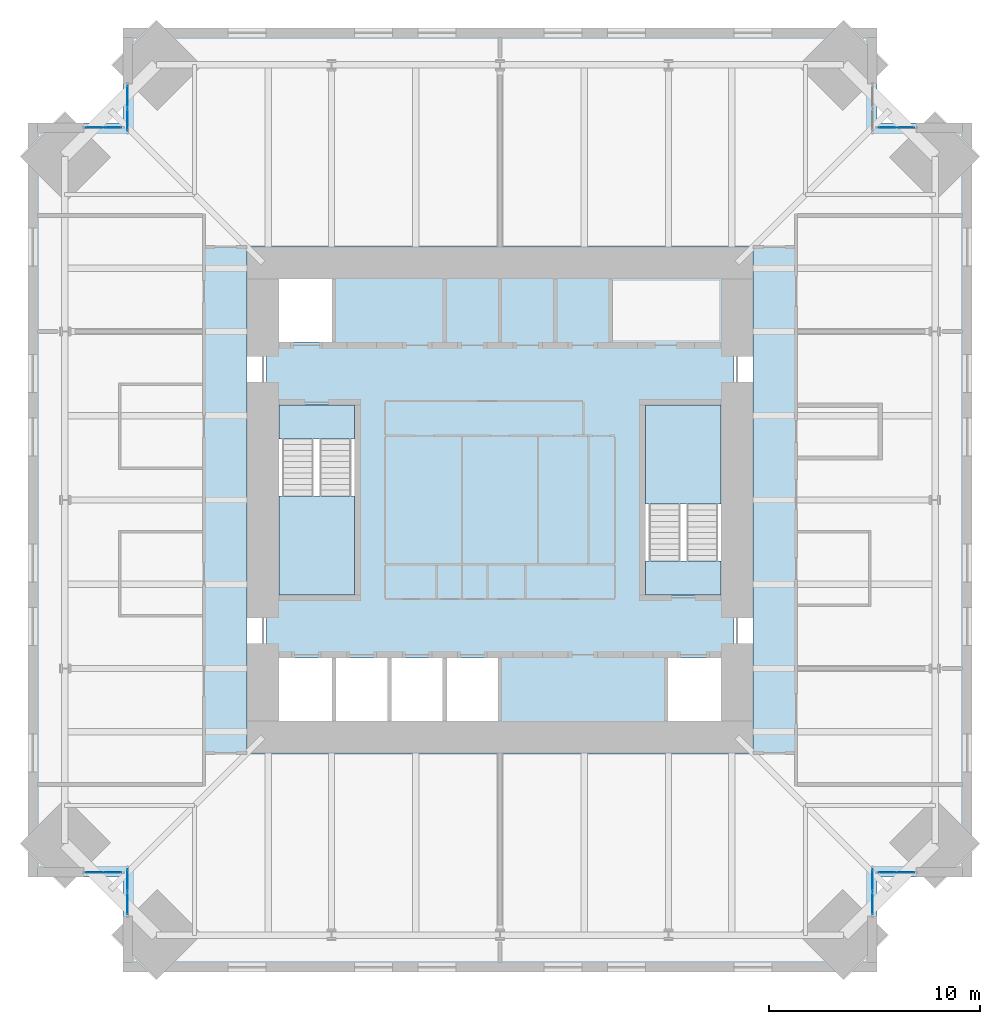
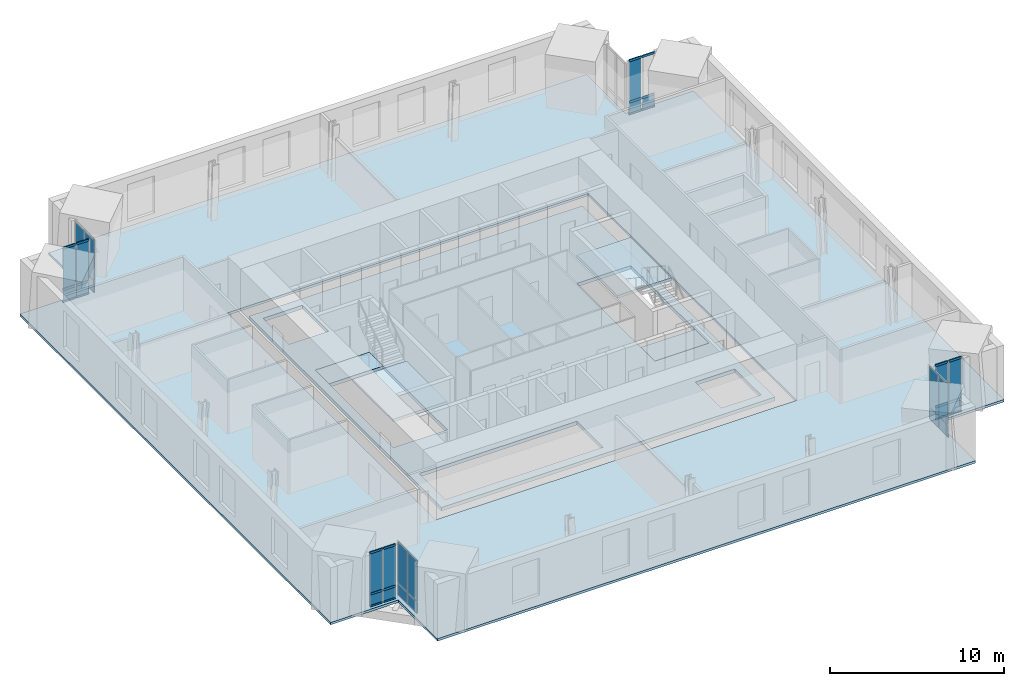
# One storey, part 11 of 17: 27 plates, 24 members, 6 slabs, 9 elements without a shape of their own.
"""IFC4 building model written with IfcOpenShell, lengths in metres."""

from ifc_helpers import new_model, si_unit, direction, frame, origin, origin_2d, place, context, subcontext, project, spatial, polyline, rectangle, hollow_rectangle, outline, extrude, material, layer, layer_set, material_profile, profile_set, type_object, element, aggregate, save


model = new_model("IFC4")

# Units and contexts
model_context = context("Model", 3, precision=1e-05, world=origin(), true_north=direction((0.0, 1.0)))
body_context = subcontext(model_context, "Body", "Model", "MODEL_VIEW")
ifc_project = project(units=[si_unit("LENGTHUNIT", "METRE"), si_unit("AREAUNIT", "SQUARE_METRE"), si_unit("VOLUMEUNIT", "CUBIC_METRE"), si_unit("PLANEANGLEUNIT", "RADIAN"), si_unit("MASSUNIT", "GRAM", prefix="KILO")], contexts=[model_context])

# Site, building, storey
site_placement = place(None, origin())
site = spatial("IfcSite", under=ifc_project, at=site_placement, CompositionType="ELEMENT")
building_placement = place(site_placement, origin())
building = spatial("IfcBuilding", under=site, at=building_placement, Name="Peilmerk Tower", CompositionType="ELEMENT")
storey_placement = place(building_placement, frame((0.0, 0.0, 253.800048828125)))
storey = spatial("IfcBuildingStorey", under=building, at=storey_placement, Name="L56", CompositionType="ELEMENT", Elevation=253.800048828125)

# Curtain wall, members
ifc_material_1 = material(Name="Aluminium stick curtain wall", Category="aluminium")
curtain_wall_type = type_object("IfcCurtainWallType", Name="CW4 stick curtain wall, 2250 module", PredefinedType="NOTDEFINED", material=ifc_material_1)
curtain_wall_1_placement = place(storey_placement, origin())
curtain_wall_1 = element("IfcCurtainWall", 1, at=curtain_wall_1_placement, inside=storey, type_object=curtain_wall_type, Name="Curtain wall CW4 NEB L56", PredefinedType="NOTDEFINED")
ifc_material_2 = material(Name="Aluminium EN AW-6063 T6", Category="aluminium")
ifc_material_profile = material_profile(ifc_material_2, hollow_rectangle(XDim=0.06494140625, YDim=0.14990234375, WallThickness=0.0029296875, at=origin_2d()), Name="AL 150x65x3")
ifc_profile_set = profile_set([ifc_material_profile], Name="Aluminium EN AW-6063 T6")
member_type = type_object("IfcMemberType", Name="CW4-T AL 150x65x3 transom", PredefinedType="USERDEFINED", material=ifc_profile_set)
member_1_placement = place(storey_placement, frame((17.965087890625, 17.675048828125, 0.032470703125), z_axis=(1.0, 0.0, 0.0), x_axis=(0.0, 1.0, 0.0)))
member_1 = element("IfcMember", 2, at=member_1_placement, type_object=member_type, Name="CW4 transom 1.1", ObjectType="TRANSOM", PredefinedType="USERDEFINED", context=body_context, shape_type="SweptSolid", body=[
    extrude(hollow_rectangle(XDim=0.06494140625, YDim=0.14990234375, WallThickness=0.0029296875, at=origin_2d()), origin(), (0.0, 0.0, 1.0), 0.82177734375),
])
member_2_placement = place(storey_placement, frame((17.965087890625, 17.675048828125, 0.89990234375), z_axis=(1.0, 0.0, 0.0), x_axis=(0.0, 1.0, 0.0)))
member_2 = element("IfcMember", 3, at=member_2_placement, type_object=member_type, Name="CW4 transom 1.2", ObjectType="TRANSOM", PredefinedType="USERDEFINED", context=body_context, shape_type="SweptSolid", body=[
    extrude(hollow_rectangle(XDim=0.06494140625, YDim=0.14990234375, WallThickness=0.0029296875, at=origin_2d()), origin(), (0.0, 0.0, 1.0), 0.82177734375),
])
member_3_placement = place(storey_placement, frame((17.965087890625, 17.675048828125, 3.79736328125), z_axis=(1.0, 0.0, 0.0), x_axis=(0.0, 1.0, 0.0)))
member_3 = element("IfcMember", 4, at=member_3_placement, type_object=member_type, Name="CW4 transom 1.3", ObjectType="TRANSOM", PredefinedType="USERDEFINED", context=body_context, shape_type="SweptSolid", body=[
    extrude(hollow_rectangle(XDim=0.06494140625, YDim=0.14990234375, WallThickness=0.0029296875, at=origin_2d()), origin(), (0.0, 0.0, 1.0), 0.82177734375),
])
member_4_placement = place(storey_placement, frame((18.851806640625, 17.675048828125, 0.032470703125), z_axis=(1.0, 0.0, 0.0), x_axis=(0.0, 1.0, 0.0)))
member_4 = element("IfcMember", 5, at=member_4_placement, type_object=member_type, Name="CW4 transom 2.1", ObjectType="TRANSOM", PredefinedType="USERDEFINED", context=body_context, shape_type="SweptSolid", body=[
    extrude(hollow_rectangle(XDim=0.06494140625, YDim=0.14990234375, WallThickness=0.0029296875, at=origin_2d()), origin(), (0.0, 0.0, 1.0), 0.82177734375),
])
member_5_placement = place(storey_placement, frame((18.851806640625, 17.675048828125, 0.89990234375), z_axis=(1.0, 0.0, 0.0), x_axis=(0.0, 1.0, 0.0)))
member_5 = element("IfcMember", 6, at=member_5_placement, type_object=member_type, Name="CW4 transom 2.2", ObjectType="TRANSOM", PredefinedType="USERDEFINED", context=body_context, shape_type="SweptSolid", body=[
    extrude(hollow_rectangle(XDim=0.06494140625, YDim=0.14990234375, WallThickness=0.0029296875, at=origin_2d()), origin(), (0.0, 0.0, 1.0), 0.82177734375),
])
member_6_placement = place(storey_placement, frame((18.851806640625, 17.675048828125, 3.79736328125), z_axis=(1.0, 0.0, 0.0), x_axis=(0.0, 1.0, 0.0)))
member_6 = element("IfcMember", 7, at=member_6_placement, type_object=member_type, Name="CW4 transom 2.3", ObjectType="TRANSOM", PredefinedType="USERDEFINED", context=body_context, shape_type="SweptSolid", body=[
    extrude(hollow_rectangle(XDim=0.06494140625, YDim=0.14990234375, WallThickness=0.0029296875, at=origin_2d()), origin(), (0.0, 0.0, 1.0), 0.82177734375),
])

curtain_wall_2_placement = place(storey_placement, origin())
curtain_wall_2 = element("IfcCurtainWall", 8, at=curtain_wall_2_placement, inside=storey, type_object=curtain_wall_type, Name="Curtain wall CW4 SEB L56", PredefinedType="NOTDEFINED")
member_7_placement = place(storey_placement, frame((17.965087890625, -17.675048828125, 0.032470703125), z_axis=(1.0, 0.0, 0.0), x_axis=(0.0, 1.0, 0.0)))
member_7 = element("IfcMember", 9, at=member_7_placement, type_object=member_type, Name="CW4 transom 1.1", ObjectType="TRANSOM", PredefinedType="USERDEFINED", context=body_context, shape_type="SweptSolid", body=[
    extrude(hollow_rectangle(XDim=0.06494140625, YDim=0.14990234375, WallThickness=0.0029296875, at=origin_2d()), origin(), (0.0, 0.0, 1.0), 0.82177734375),
])
member_8_placement = place(storey_placement, frame((17.965087890625, -17.675048828125, 0.89990234375), z_axis=(1.0, 0.0, 0.0), x_axis=(0.0, 1.0, 0.0)))
member_8 = element("IfcMember", 10, at=member_8_placement, type_object=member_type, Name="CW4 transom 1.2", ObjectType="TRANSOM", PredefinedType="USERDEFINED", context=body_context, shape_type="SweptSolid", body=[
    extrude(hollow_rectangle(XDim=0.06494140625, YDim=0.14990234375, WallThickness=0.0029296875, at=origin_2d()), origin(), (0.0, 0.0, 1.0), 0.82177734375),
])
member_9_placement = place(storey_placement, frame((17.965087890625, -17.675048828125, 3.79736328125), z_axis=(1.0, 0.0, 0.0), x_axis=(0.0, 1.0, 0.0)))
member_9 = element("IfcMember", 11, at=member_9_placement, type_object=member_type, Name="CW4 transom 1.3", ObjectType="TRANSOM", PredefinedType="USERDEFINED", context=body_context, shape_type="SweptSolid", body=[
    extrude(hollow_rectangle(XDim=0.06494140625, YDim=0.14990234375, WallThickness=0.0029296875, at=origin_2d()), origin(), (0.0, 0.0, 1.0), 0.82177734375),
])
member_10_placement = place(storey_placement, frame((18.851806640625, -17.675048828125, 0.032470703125), z_axis=(1.0, 0.0, 0.0), x_axis=(0.0, 1.0, 0.0)))
member_10 = element("IfcMember", 12, at=member_10_placement, type_object=member_type, Name="CW4 transom 2.1", ObjectType="TRANSOM", PredefinedType="USERDEFINED", context=body_context, shape_type="SweptSolid", body=[
    extrude(hollow_rectangle(XDim=0.06494140625, YDim=0.14990234375, WallThickness=0.0029296875, at=origin_2d()), origin(), (0.0, 0.0, 1.0), 0.82177734375),
])
member_11_placement = place(storey_placement, frame((18.851806640625, -17.675048828125, 0.89990234375), z_axis=(1.0, 0.0, 0.0), x_axis=(0.0, 1.0, 0.0)))
member_11 = element("IfcMember", 13, at=member_11_placement, type_object=member_type, Name="CW4 transom 2.2", ObjectType="TRANSOM", PredefinedType="USERDEFINED", context=body_context, shape_type="SweptSolid", body=[
    extrude(hollow_rectangle(XDim=0.06494140625, YDim=0.14990234375, WallThickness=0.0029296875, at=origin_2d()), origin(), (0.0, 0.0, 1.0), 0.82177734375),
])
member_12_placement = place(storey_placement, frame((18.851806640625, -17.675048828125, 3.79736328125), z_axis=(1.0, 0.0, 0.0), x_axis=(0.0, 1.0, 0.0)))
member_12 = element("IfcMember", 14, at=member_12_placement, type_object=member_type, Name="CW4 transom 2.3", ObjectType="TRANSOM", PredefinedType="USERDEFINED", context=body_context, shape_type="SweptSolid", body=[
    extrude(hollow_rectangle(XDim=0.06494140625, YDim=0.14990234375, WallThickness=0.0029296875, at=origin_2d()), origin(), (0.0, 0.0, 1.0), 0.82177734375),
])

curtain_wall_3_placement = place(storey_placement, origin())
curtain_wall_3 = element("IfcCurtainWall", 15, at=curtain_wall_3_placement, inside=storey, type_object=curtain_wall_type, Name="Curtain wall CW4 SWB L56", PredefinedType="NOTDEFINED")
member_13_placement = place(storey_placement, frame((-17.965087890625, -17.675048828125, 0.032470703125), z_axis=(-1.0, 0.0, 0.0), x_axis=(0.0, -1.0, 0.0)))
member_13 = element("IfcMember", 16, at=member_13_placement, type_object=member_type, Name="CW4 transom 1.1", ObjectType="TRANSOM", PredefinedType="USERDEFINED", context=body_context, shape_type="SweptSolid", body=[
    extrude(hollow_rectangle(XDim=0.06494140625, YDim=0.14990234375, WallThickness=0.0029296875, at=origin_2d()), origin(), (0.0, 0.0, 1.0), 0.82177734375),
])
member_14_placement = place(storey_placement, frame((-17.965087890625, -17.675048828125, 0.89990234375), z_axis=(-1.0, 0.0, 0.0), x_axis=(0.0, -1.0, 0.0)))
member_14 = element("IfcMember", 17, at=member_14_placement, type_object=member_type, Name="CW4 transom 1.2", ObjectType="TRANSOM", PredefinedType="USERDEFINED", context=body_context, shape_type="SweptSolid", body=[
    extrude(hollow_rectangle(XDim=0.06494140625, YDim=0.14990234375, WallThickness=0.0029296875, at=origin_2d()), origin(), (0.0, 0.0, 1.0), 0.82177734375),
])
member_15_placement = place(storey_placement, frame((-17.965087890625, -17.675048828125, 3.79736328125), z_axis=(-1.0, 0.0, 0.0), x_axis=(0.0, -1.0, 0.0)))
member_15 = element("IfcMember", 18, at=member_15_placement, type_object=member_type, Name="CW4 transom 1.3", ObjectType="TRANSOM", PredefinedType="USERDEFINED", context=body_context, shape_type="SweptSolid", body=[
    extrude(hollow_rectangle(XDim=0.06494140625, YDim=0.14990234375, WallThickness=0.0029296875, at=origin_2d()), origin(), (0.0, 0.0, 1.0), 0.82177734375),
])
member_16_placement = place(storey_placement, frame((-18.851806640625, -17.675048828125, 0.032470703125), z_axis=(-1.0, 0.0, 0.0), x_axis=(0.0, -1.0, 0.0)))
member_16 = element("IfcMember", 19, at=member_16_placement, type_object=member_type, Name="CW4 transom 2.1", ObjectType="TRANSOM", PredefinedType="USERDEFINED", context=body_context, shape_type="SweptSolid", body=[
    extrude(hollow_rectangle(XDim=0.06494140625, YDim=0.14990234375, WallThickness=0.0029296875, at=origin_2d()), origin(), (0.0, 0.0, 1.0), 0.82177734375),
])
member_17_placement = place(storey_placement, frame((-18.851806640625, -17.675048828125, 0.89990234375), z_axis=(-1.0, 0.0, 0.0), x_axis=(0.0, -1.0, 0.0)))
member_17 = element("IfcMember", 20, at=member_17_placement, type_object=member_type, Name="CW4 transom 2.2", ObjectType="TRANSOM", PredefinedType="USERDEFINED", context=body_context, shape_type="SweptSolid", body=[
    extrude(hollow_rectangle(XDim=0.06494140625, YDim=0.14990234375, WallThickness=0.0029296875, at=origin_2d()), origin(), (0.0, 0.0, 1.0), 0.82177734375),
])
member_18_placement = place(storey_placement, frame((-18.851806640625, -17.675048828125, 3.79736328125), z_axis=(-1.0, 0.0, 0.0), x_axis=(0.0, -1.0, 0.0)))
member_18 = element("IfcMember", 21, at=member_18_placement, type_object=member_type, Name="CW4 transom 2.3", ObjectType="TRANSOM", PredefinedType="USERDEFINED", context=body_context, shape_type="SweptSolid", body=[
    extrude(hollow_rectangle(XDim=0.06494140625, YDim=0.14990234375, WallThickness=0.0029296875, at=origin_2d()), origin(), (0.0, 0.0, 1.0), 0.82177734375),
])

curtain_wall_4_placement = place(storey_placement, origin())
curtain_wall_4 = element("IfcCurtainWall", 22, at=curtain_wall_4_placement, inside=storey, type_object=curtain_wall_type, Name="Curtain wall CW4 NWB L56", PredefinedType="NOTDEFINED")
member_19_placement = place(storey_placement, frame((-17.965087890625, 17.675048828125, 0.032470703125), z_axis=(-1.0, 0.0, 0.0), x_axis=(0.0, -1.0, 0.0)))
member_19 = element("IfcMember", 23, at=member_19_placement, type_object=member_type, Name="CW4 transom 1.1", ObjectType="TRANSOM", PredefinedType="USERDEFINED", context=body_context, shape_type="SweptSolid", body=[
    extrude(hollow_rectangle(XDim=0.06494140625, YDim=0.14990234375, WallThickness=0.0029296875, at=origin_2d()), origin(), (0.0, 0.0, 1.0), 0.82177734375),
])
member_20_placement = place(storey_placement, frame((-17.965087890625, 17.675048828125, 0.89990234375), z_axis=(-1.0, 0.0, 0.0), x_axis=(0.0, -1.0, 0.0)))
member_20 = element("IfcMember", 24, at=member_20_placement, type_object=member_type, Name="CW4 transom 1.2", ObjectType="TRANSOM", PredefinedType="USERDEFINED", context=body_context, shape_type="SweptSolid", body=[
    extrude(hollow_rectangle(XDim=0.06494140625, YDim=0.14990234375, WallThickness=0.0029296875, at=origin_2d()), origin(), (0.0, 0.0, 1.0), 0.82177734375),
])
member_21_placement = place(storey_placement, frame((-17.965087890625, 17.675048828125, 3.79736328125), z_axis=(-1.0, 0.0, 0.0), x_axis=(0.0, -1.0, 0.0)))
member_21 = element("IfcMember", 25, at=member_21_placement, type_object=member_type, Name="CW4 transom 1.3", ObjectType="TRANSOM", PredefinedType="USERDEFINED", context=body_context, shape_type="SweptSolid", body=[
    extrude(hollow_rectangle(XDim=0.06494140625, YDim=0.14990234375, WallThickness=0.0029296875, at=origin_2d()), origin(), (0.0, 0.0, 1.0), 0.82177734375),
])
member_22_placement = place(storey_placement, frame((-18.851806640625, 17.675048828125, 0.032470703125), z_axis=(-1.0, 0.0, 0.0), x_axis=(0.0, -1.0, 0.0)))
member_22 = element("IfcMember", 26, at=member_22_placement, type_object=member_type, Name="CW4 transom 2.1", ObjectType="TRANSOM", PredefinedType="USERDEFINED", context=body_context, shape_type="SweptSolid", body=[
    extrude(hollow_rectangle(XDim=0.06494140625, YDim=0.14990234375, WallThickness=0.0029296875, at=origin_2d()), origin(), (0.0, 0.0, 1.0), 0.82177734375),
])
member_23_placement = place(storey_placement, frame((-18.851806640625, 17.675048828125, 0.89990234375), z_axis=(-1.0, 0.0, 0.0), x_axis=(0.0, -1.0, 0.0)))
member_23 = element("IfcMember", 27, at=member_23_placement, type_object=member_type, Name="CW4 transom 2.2", ObjectType="TRANSOM", PredefinedType="USERDEFINED", context=body_context, shape_type="SweptSolid", body=[
    extrude(hollow_rectangle(XDim=0.06494140625, YDim=0.14990234375, WallThickness=0.0029296875, at=origin_2d()), origin(), (0.0, 0.0, 1.0), 0.82177734375),
])
member_24_placement = place(storey_placement, frame((-18.851806640625, 17.675048828125, 3.79736328125), z_axis=(-1.0, 0.0, 0.0), x_axis=(0.0, -1.0, 0.0)))
member_24 = element("IfcMember", 28, at=member_24_placement, type_object=member_type, Name="CW4 transom 2.3", ObjectType="TRANSOM", PredefinedType="USERDEFINED", context=body_context, shape_type="SweptSolid", body=[
    extrude(hollow_rectangle(XDim=0.06494140625, YDim=0.14990234375, WallThickness=0.0029296875, at=origin_2d()), origin(), (0.0, 0.0, 1.0), 0.82177734375),
])

# Slab
ifc_material_3 = material(Name="Concrete C55/67", Category="concrete")
ifc_layer_1 = layer(ifc_material_3, 0.25)
ifc_layer_set_1 = layer_set([ifc_layer_1], Name="Concrete C55/67")
slab_type_1 = type_object("IfcSlabType", Name="CS250 250 core floor slab", PredefinedType="FLOOR", material=ifc_layer_set_1)
slab_1_placement = place(storey_placement, frame((0.0, 0.0, -0.25)))
element("IfcSlab", 29, at=slab_1_placement, inside=storey, type_object=slab_type_1, Name="Core slab L56", PredefinedType="FLOOR", context=body_context, shape_type="SweptSolid", body=[
    extrude(outline(polyline([(11.10009765625, -11.10009765625), (11.10009765625, 11.10009765625), (-11.10009765625, 11.10009765625), (-11.10009765625, -11.10009765625), (11.10009765625, -11.10009765625)]), holes=[polyline([(-7.875, 7.5), (-10.5, 7.5), (-10.5, 10.5), (-7.875, 10.5), (-7.875, 7.5)]), polyline([(0.0, -10.5), (-10.5, -10.5), (-10.5, -7.5), (0.0, -7.5), (0.0, -10.5)]), polyline([(7.875, -10.5), (7.875, -7.5), (10.5, -7.5), (10.5, -10.5), (7.875, -10.5)]), polyline([(-10.5, 4.5), (-6.89990234375, 4.5), (-6.89990234375, -4.5), (-10.5, -4.5), (-10.5, 4.5)]), polyline([(10.5, 4.5), (10.5, -4.5), (6.89990234375, -4.5), (6.89990234375, 4.5), (10.5, 4.5)])]), origin(), (0.0, 0.0, 1.0), 0.25),
])

# Plate
ifc_material_4 = material(Name="Clear insulated glazing unit", Category="glass")
ifc_layer_2 = layer(ifc_material_4, 0.028076171875)
ifc_layer_set_2 = layer_set([ifc_layer_2], Name="Clear insulated glazing unit")
plate_type = type_object("IfcPlateType", Name="CW4-P 28 glazed panel", PredefinedType="CURTAIN_PANEL", material=ifc_layer_set_2)
plate_1_placement = place(storey_placement, frame((18.3759765625, 17.675048828125, 0.06494140625), z_axis=(0.0, 0.0, 1.0), x_axis=(1.0, 0.0, 0.0)))
plate_1 = element("IfcPlate", 30, at=plate_1_placement, type_object=plate_type, Name="CW4 panel 1.1", PredefinedType="CURTAIN_PANEL", context=body_context, shape_type="SweptSolid", body=[
    extrude(rectangle(XDim=0.82177734375, YDim=0.028076171875, at=origin_2d()), origin(), (0.0, 0.0, 1.0), 0.802490234375),
])

plate_2_placement = place(storey_placement, frame((18.3759765625, 17.675048828125, 0.932373046875), z_axis=(0.0, 0.0, 1.0), x_axis=(1.0, 0.0, 0.0)))
plate_2 = element("IfcPlate", 31, at=plate_2_placement, type_object=plate_type, Name="CW4 panel 1.2", PredefinedType="CURTAIN_PANEL", context=body_context, shape_type="SweptSolid", body=[
    extrude(rectangle(XDim=0.82177734375, YDim=0.028076171875, at=origin_2d()), origin(), (0.0, 0.0, 1.0), 2.83251953125),
])

plate_3_placement = place(storey_placement, frame((19.2626953125, 17.675048828125, 0.06494140625), z_axis=(0.0, 0.0, 1.0), x_axis=(1.0, 0.0, 0.0)))
plate_3 = element("IfcPlate", 32, at=plate_3_placement, type_object=plate_type, Name="CW4 panel 2.1", PredefinedType="CURTAIN_PANEL", context=body_context, shape_type="SweptSolid", body=[
    extrude(rectangle(XDim=0.82177734375, YDim=0.028076171875, at=origin_2d()), origin(), (0.0, 0.0, 1.0), 0.802490234375),
])

aggregate(curtain_wall_1, [member_1, member_2, member_3, plate_1, plate_2, member_4, member_5, member_6, plate_3])

# Curtain wall, plates
curtain_wall_5_placement = place(storey_placement, origin())
curtain_wall_5 = element("IfcCurtainWall", 33, at=curtain_wall_5_placement, inside=storey, type_object=curtain_wall_type, Name="Curtain wall CW4 SEA L56", PredefinedType="NOTDEFINED")
plate_4_placement = place(storey_placement, frame((17.675048828125, -18.038330078125, 0.06494140625), z_axis=(0.0, 0.0, 1.0), x_axis=(0.0, -1.0, 0.0)))
plate_4 = element("IfcPlate", 34, at=plate_4_placement, type_object=plate_type, Name="CW4 panel 1.1", PredefinedType="CURTAIN_PANEL", context=body_context, shape_type="SweptSolid", body=[
    extrude(rectangle(XDim=1.046875, YDim=0.028076171875, at=origin_2d()), origin(), (0.0, 0.0, 1.0), 0.802490234375),
])
plate_5_placement = place(storey_placement, frame((17.675048828125, -18.038330078125, 0.932373046875), z_axis=(0.0, 0.0, 1.0), x_axis=(0.0, -1.0, 0.0)))
plate_5 = element("IfcPlate", 35, at=plate_5_placement, type_object=plate_type, Name="CW4 panel 1.2", PredefinedType="CURTAIN_PANEL", context=body_context, shape_type="SweptSolid", body=[
    extrude(rectangle(XDim=1.046875, YDim=0.028076171875, at=origin_2d()), origin(), (0.0, 0.0, 1.0), 2.83251953125),
])
plate_6_placement = place(storey_placement, frame((17.675048828125, -19.150146484375, 0.06494140625), z_axis=(0.0, 0.0, 1.0), x_axis=(0.0, -1.0, 0.0)))
plate_6 = element("IfcPlate", 36, at=plate_6_placement, type_object=plate_type, Name="CW4 panel 2.1", PredefinedType="CURTAIN_PANEL", context=body_context, shape_type="SweptSolid", body=[
    extrude(rectangle(XDim=1.046875, YDim=0.028076171875, at=origin_2d()), origin(), (0.0, 0.0, 1.0), 0.802490234375),
])
plate_7_placement = place(storey_placement, frame((17.675048828125, -19.150146484375, 0.932373046875), z_axis=(0.0, 0.0, 1.0), x_axis=(0.0, -1.0, 0.0)))
plate_7 = element("IfcPlate", 37, at=plate_7_placement, type_object=plate_type, Name="CW4 panel 2.2", PredefinedType="CURTAIN_PANEL", context=body_context, shape_type="SweptSolid", body=[
    extrude(rectangle(XDim=1.046875, YDim=0.028076171875, at=origin_2d()), origin(), (0.0, 0.0, 1.0), 2.83251953125),
])
aggregate(curtain_wall_5, [plate_4, plate_5, plate_6, plate_7])

# Plate
plate_8_placement = place(storey_placement, frame((18.3759765625, -17.675048828125, 0.06494140625), z_axis=(0.0, 0.0, 1.0), x_axis=(1.0, 0.0, 0.0)))
plate_8 = element("IfcPlate", 38, at=plate_8_placement, type_object=plate_type, Name="CW4 panel 1.1", PredefinedType="CURTAIN_PANEL", context=body_context, shape_type="SweptSolid", body=[
    extrude(rectangle(XDim=0.82177734375, YDim=0.028076171875, at=origin_2d()), origin(), (0.0, 0.0, 1.0), 0.802490234375),
])

plate_9_placement = place(storey_placement, frame((18.3759765625, -17.675048828125, 0.932373046875), z_axis=(0.0, 0.0, 1.0), x_axis=(1.0, 0.0, 0.0)))
plate_9 = element("IfcPlate", 39, at=plate_9_placement, type_object=plate_type, Name="CW4 panel 1.2", PredefinedType="CURTAIN_PANEL", context=body_context, shape_type="SweptSolid", body=[
    extrude(rectangle(XDim=0.82177734375, YDim=0.028076171875, at=origin_2d()), origin(), (0.0, 0.0, 1.0), 2.83251953125),
])

plate_10_placement = place(storey_placement, frame((19.2626953125, -17.675048828125, 0.06494140625), z_axis=(0.0, 0.0, 1.0), x_axis=(1.0, 0.0, 0.0)))
plate_10 = element("IfcPlate", 40, at=plate_10_placement, type_object=plate_type, Name="CW4 panel 2.1", PredefinedType="CURTAIN_PANEL", context=body_context, shape_type="SweptSolid", body=[
    extrude(rectangle(XDim=0.82177734375, YDim=0.028076171875, at=origin_2d()), origin(), (0.0, 0.0, 1.0), 0.802490234375),
])

plate_11_placement = place(storey_placement, frame((19.2626953125, -17.675048828125, 0.932373046875), z_axis=(0.0, 0.0, 1.0), x_axis=(1.0, 0.0, 0.0)))
plate_11 = element("IfcPlate", 41, at=plate_11_placement, type_object=plate_type, Name="CW4 panel 2.2", PredefinedType="CURTAIN_PANEL", context=body_context, shape_type="SweptSolid", body=[
    extrude(rectangle(XDim=0.82177734375, YDim=0.028076171875, at=origin_2d()), origin(), (0.0, 0.0, 1.0), 2.83251953125),
])

aggregate(curtain_wall_2, [member_7, member_8, member_9, plate_8, plate_9, member_10, member_11, member_12, plate_10, plate_11])

# Curtain wall, plates
curtain_wall_6_placement = place(storey_placement, origin())
curtain_wall_6 = element("IfcCurtainWall", 42, at=curtain_wall_6_placement, inside=storey, type_object=curtain_wall_type, Name="Curtain wall CW4 SWA L56", PredefinedType="NOTDEFINED")
plate_12_placement = place(storey_placement, frame((-17.675048828125, -18.038330078125, 0.06494140625), z_axis=(0.0, 0.0, 1.0), x_axis=(0.0, -1.0, 0.0)))
plate_12 = element("IfcPlate", 43, at=plate_12_placement, type_object=plate_type, Name="CW4 panel 1.1", PredefinedType="CURTAIN_PANEL", context=body_context, shape_type="SweptSolid", body=[
    extrude(rectangle(XDim=1.046875, YDim=0.028076171875, at=origin_2d()), origin(), (0.0, 0.0, 1.0), 0.802490234375),
])
plate_13_placement = place(storey_placement, frame((-17.675048828125, -18.038330078125, 0.932373046875), z_axis=(0.0, 0.0, 1.0), x_axis=(0.0, -1.0, 0.0)))
plate_13 = element("IfcPlate", 44, at=plate_13_placement, type_object=plate_type, Name="CW4 panel 1.2", PredefinedType="CURTAIN_PANEL", context=body_context, shape_type="SweptSolid", body=[
    extrude(rectangle(XDim=1.046875, YDim=0.028076171875, at=origin_2d()), origin(), (0.0, 0.0, 1.0), 2.83251953125),
])
plate_14_placement = place(storey_placement, frame((-17.675048828125, -19.150146484375, 0.06494140625), z_axis=(0.0, 0.0, 1.0), x_axis=(0.0, -1.0, 0.0)))
plate_14 = element("IfcPlate", 45, at=plate_14_placement, type_object=plate_type, Name="CW4 panel 2.1", PredefinedType="CURTAIN_PANEL", context=body_context, shape_type="SweptSolid", body=[
    extrude(rectangle(XDim=1.046875, YDim=0.028076171875, at=origin_2d()), origin(), (0.0, 0.0, 1.0), 0.802490234375),
])
plate_15_placement = place(storey_placement, frame((-17.675048828125, -19.150146484375, 0.932373046875), z_axis=(0.0, 0.0, 1.0), x_axis=(0.0, -1.0, 0.0)))
plate_15 = element("IfcPlate", 46, at=plate_15_placement, type_object=plate_type, Name="CW4 panel 2.2", PredefinedType="CURTAIN_PANEL", context=body_context, shape_type="SweptSolid", body=[
    extrude(rectangle(XDim=1.046875, YDim=0.028076171875, at=origin_2d()), origin(), (0.0, 0.0, 1.0), 2.83251953125),
])
aggregate(curtain_wall_6, [plate_12, plate_13, plate_14, plate_15])

# Plate
plate_16_placement = place(storey_placement, frame((-18.3759765625, -17.675048828125, 0.06494140625), z_axis=(0.0, 0.0, 1.0), x_axis=(-1.0, 0.0, 0.0)))
plate_16 = element("IfcPlate", 47, at=plate_16_placement, type_object=plate_type, Name="CW4 panel 1.1", PredefinedType="CURTAIN_PANEL", context=body_context, shape_type="SweptSolid", body=[
    extrude(rectangle(XDim=0.82177734375, YDim=0.028076171875, at=origin_2d()), origin(), (0.0, 0.0, 1.0), 0.802490234375),
])

plate_17_placement = place(storey_placement, frame((-18.3759765625, -17.675048828125, 0.932373046875), z_axis=(0.0, 0.0, 1.0), x_axis=(-1.0, 0.0, 0.0)))
plate_17 = element("IfcPlate", 48, at=plate_17_placement, type_object=plate_type, Name="CW4 panel 1.2", PredefinedType="CURTAIN_PANEL", context=body_context, shape_type="SweptSolid", body=[
    extrude(rectangle(XDim=0.82177734375, YDim=0.028076171875, at=origin_2d()), origin(), (0.0, 0.0, 1.0), 2.83251953125),
])

plate_18_placement = place(storey_placement, frame((-19.2626953125, -17.675048828125, 0.06494140625), z_axis=(0.0, 0.0, 1.0), x_axis=(-1.0, 0.0, 0.0)))
plate_18 = element("IfcPlate", 49, at=plate_18_placement, type_object=plate_type, Name="CW4 panel 2.1", PredefinedType="CURTAIN_PANEL", context=body_context, shape_type="SweptSolid", body=[
    extrude(rectangle(XDim=0.82177734375, YDim=0.028076171875, at=origin_2d()), origin(), (0.0, 0.0, 1.0), 0.802490234375),
])

plate_19_placement = place(storey_placement, frame((-19.2626953125, -17.675048828125, 0.932373046875), z_axis=(0.0, 0.0, 1.0), x_axis=(-1.0, 0.0, 0.0)))
plate_19 = element("IfcPlate", 50, at=plate_19_placement, type_object=plate_type, Name="CW4 panel 2.2", PredefinedType="CURTAIN_PANEL", context=body_context, shape_type="SweptSolid", body=[
    extrude(rectangle(XDim=0.82177734375, YDim=0.028076171875, at=origin_2d()), origin(), (0.0, 0.0, 1.0), 2.83251953125),
])

aggregate(curtain_wall_3, [member_13, member_14, member_15, plate_16, plate_17, member_16, member_17, member_18, plate_18, plate_19])

# Curtain wall, plates
curtain_wall_7_placement = place(storey_placement, origin())
curtain_wall_7 = element("IfcCurtainWall", 51, at=curtain_wall_7_placement, inside=storey, type_object=curtain_wall_type, Name="Curtain wall CW4 NWA L56", PredefinedType="NOTDEFINED")
plate_20_placement = place(storey_placement, frame((-17.675048828125, 18.038330078125, 0.06494140625), z_axis=(0.0, 0.0, 1.0), x_axis=(0.0, 1.0, 0.0)))
plate_20 = element("IfcPlate", 52, at=plate_20_placement, type_object=plate_type, Name="CW4 panel 1.1", PredefinedType="CURTAIN_PANEL", context=body_context, shape_type="SweptSolid", body=[
    extrude(rectangle(XDim=1.046875, YDim=0.028076171875, at=origin_2d()), origin(), (0.0, 0.0, 1.0), 0.802490234375),
])
plate_21_placement = place(storey_placement, frame((-17.675048828125, 18.038330078125, 0.932373046875), z_axis=(0.0, 0.0, 1.0), x_axis=(0.0, 1.0, 0.0)))
plate_21 = element("IfcPlate", 53, at=plate_21_placement, type_object=plate_type, Name="CW4 panel 1.2", PredefinedType="CURTAIN_PANEL", context=body_context, shape_type="SweptSolid", body=[
    extrude(rectangle(XDim=1.046875, YDim=0.028076171875, at=origin_2d()), origin(), (0.0, 0.0, 1.0), 2.83251953125),
])
plate_22_placement = place(storey_placement, frame((-17.675048828125, 19.150146484375, 0.06494140625), z_axis=(0.0, 0.0, 1.0), x_axis=(0.0, 1.0, 0.0)))
plate_22 = element("IfcPlate", 54, at=plate_22_placement, type_object=plate_type, Name="CW4 panel 2.1", PredefinedType="CURTAIN_PANEL", context=body_context, shape_type="SweptSolid", body=[
    extrude(rectangle(XDim=1.046875, YDim=0.028076171875, at=origin_2d()), origin(), (0.0, 0.0, 1.0), 0.802490234375),
])
plate_23_placement = place(storey_placement, frame((-17.675048828125, 19.150146484375, 0.932373046875), z_axis=(0.0, 0.0, 1.0), x_axis=(0.0, 1.0, 0.0)))
plate_23 = element("IfcPlate", 55, at=plate_23_placement, type_object=plate_type, Name="CW4 panel 2.2", PredefinedType="CURTAIN_PANEL", context=body_context, shape_type="SweptSolid", body=[
    extrude(rectangle(XDim=1.046875, YDim=0.028076171875, at=origin_2d()), origin(), (0.0, 0.0, 1.0), 2.83251953125),
])
aggregate(curtain_wall_7, [plate_20, plate_21, plate_22, plate_23])

# Plate
plate_24_placement = place(storey_placement, frame((-18.3759765625, 17.675048828125, 0.06494140625), z_axis=(0.0, 0.0, 1.0), x_axis=(-1.0, 0.0, 0.0)))
plate_24 = element("IfcPlate", 56, at=plate_24_placement, type_object=plate_type, Name="CW4 panel 1.1", PredefinedType="CURTAIN_PANEL", context=body_context, shape_type="SweptSolid", body=[
    extrude(rectangle(XDim=0.82177734375, YDim=0.028076171875, at=origin_2d()), origin(), (0.0, 0.0, 1.0), 0.802490234375),
])

plate_25_placement = place(storey_placement, frame((-18.3759765625, 17.675048828125, 0.932373046875), z_axis=(0.0, 0.0, 1.0), x_axis=(-1.0, 0.0, 0.0)))
plate_25 = element("IfcPlate", 57, at=plate_25_placement, type_object=plate_type, Name="CW4 panel 1.2", PredefinedType="CURTAIN_PANEL", context=body_context, shape_type="SweptSolid", body=[
    extrude(rectangle(XDim=0.82177734375, YDim=0.028076171875, at=origin_2d()), origin(), (0.0, 0.0, 1.0), 2.83251953125),
])

plate_26_placement = place(storey_placement, frame((-19.2626953125, 17.675048828125, 0.06494140625), z_axis=(0.0, 0.0, 1.0), x_axis=(-1.0, 0.0, 0.0)))
plate_26 = element("IfcPlate", 58, at=plate_26_placement, type_object=plate_type, Name="CW4 panel 2.1", PredefinedType="CURTAIN_PANEL", context=body_context, shape_type="SweptSolid", body=[
    extrude(rectangle(XDim=0.82177734375, YDim=0.028076171875, at=origin_2d()), origin(), (0.0, 0.0, 1.0), 0.802490234375),
])

plate_27_placement = place(storey_placement, frame((-19.2626953125, 17.675048828125, 0.932373046875), z_axis=(0.0, 0.0, 1.0), x_axis=(-1.0, 0.0, 0.0)))
plate_27 = element("IfcPlate", 59, at=plate_27_placement, type_object=plate_type, Name="CW4 panel 2.2", PredefinedType="CURTAIN_PANEL", context=body_context, shape_type="SweptSolid", body=[
    extrude(rectangle(XDim=0.82177734375, YDim=0.028076171875, at=origin_2d()), origin(), (0.0, 0.0, 1.0), 2.83251953125),
])

aggregate(curtain_wall_4, [member_19, member_20, member_21, plate_24, plate_25, member_22, member_23, member_24, plate_26, plate_27])

# Slab
ifc_material_5 = material(Name="Concrete C35/45", Category="concrete")
ifc_layer_3 = layer(ifc_material_5, 0.169921875)
ifc_layer_set_3 = layer_set([ifc_layer_3], Name="Concrete C35/45")
slab_type_2 = type_object("IfcSlabType", Name="FS170 170 composite floor slab", PredefinedType="FLOOR", material=ifc_layer_set_3)
slab_2_placement = place(storey_placement, frame((0.0, 0.0, -0.170166015625)))
element("IfcSlab", 60, at=slab_2_placement, inside=storey, type_object=slab_type_2, Name="Floor slab L56", PredefinedType="FLOOR", context=body_context, shape_type="SweptSolid", body=[
    extrude(outline(polyline([(-17.89990234375, -22.39990234375), (17.89990234375, -22.39990234375), (17.89990234375, -17.89990234375), (22.39990234375, -17.89990234375), (22.39990234375, 17.89990234375), (17.89990234375, 17.89990234375), (17.89990234375, 22.39990234375), (-17.89990234375, 22.39990234375), (-17.89990234375, 17.89990234375), (-22.39990234375, 17.89990234375), (-22.39990234375, -17.89990234375), (-17.89990234375, -17.89990234375), (-17.89990234375, -22.39990234375)]), holes=[polyline([(12.0, 12.0), (12.0, -12.0), (-12.0, -12.0), (-12.0, 12.0), (12.0, 12.0)])]), origin(), (0.0, 0.0, 1.0), 0.170166015625),
])

# Stair, slab
ifc_material_6 = material(Name="Precast concrete C45/55", Category="concrete")
stair_type_1 = type_object("IfcStairType", Name="ST1 22 risers of 181.8", PredefinedType="HALF_TURN_STAIR", material=ifc_material_6)
stair_1_placement = place(storey_placement, origin())
stair_1 = element("IfcStair", 61, at=stair_1_placement, inside=storey, type_object=stair_type_1, Name="Stair 1 L56 to L57", PredefinedType="HALF_TURN_STAIR")
ifc_layer_4 = layer(ifc_material_5, 0.199951171875)
ifc_layer_set_4 = layer_set([ifc_layer_4], Name="Concrete C35/45")
slab_type_3 = type_object("IfcSlabType", Name="SL1 200 concrete stair landing", PredefinedType="LANDING", material=ifc_layer_set_4)
slab_3_placement = place(storey_placement, frame((0.0, 0.0, 1.800048828125)))
slab_3 = element("IfcSlab", 62, at=slab_3_placement, type_object=slab_type_3, Name="ST1 landing 1", PredefinedType="LANDING", context=body_context, shape_type="SweptSolid", body=[
    extrude(outline(polyline([(-10.5, -4.5), (-6.89990234375, -4.5), (-6.89990234375, 0.199951171875), (-10.5, 0.199951171875), (-10.5, -4.5)])), origin(), (0.0, 0.0, 1.0), 0.199951171875),
])

stair_type_2 = type_object("IfcStairType", Name="ST2 22 risers of 181.8", PredefinedType="HALF_TURN_STAIR", material=ifc_material_6)
stair_2_placement = place(storey_placement, origin())
stair_2 = element("IfcStair", 63, at=stair_2_placement, inside=storey, type_object=stair_type_2, Name="Stair 2 L56 to L57", PredefinedType="HALF_TURN_STAIR")
slab_4_placement = place(storey_placement, frame((0.0, 0.0, 1.800048828125)))
slab_4 = element("IfcSlab", 64, at=slab_4_placement, type_object=slab_type_3, Name="ST2 landing 1", PredefinedType="LANDING", context=body_context, shape_type="SweptSolid", body=[
    extrude(outline(polyline([(6.89990234375, -0.199951171875), (10.5, -0.199951171875), (10.5, 4.5), (6.89990234375, 4.5), (6.89990234375, -0.199951171875)])), origin(), (0.0, 0.0, 1.0), 0.199951171875),
])

# Slab
ifc_layer_5 = layer(ifc_material_5, 0.25)
ifc_layer_set_5 = layer_set([ifc_layer_5], Name="Concrete C35/45")
slab_type_4 = type_object("IfcSlabType", Name="SL2 250 concrete floor landing", PredefinedType="LANDING", material=ifc_layer_set_5)
slab_5_placement = place(storey_placement, frame((0.0, 0.0, -0.25)))
slab_5 = element("IfcSlab", 65, at=slab_5_placement, type_object=slab_type_4, Name="ST1 floor landing", PredefinedType="LANDING", context=body_context, shape_type="SweptSolid", body=[
    extrude(outline(polyline([(-10.5, 2.89990234375), (-6.89990234375, 2.89990234375), (-6.89990234375, 4.5), (-10.5, 4.5), (-10.5, 2.89990234375)])), origin(), (0.0, 0.0, 1.0), 0.25),
])

aggregate(stair_1, [slab_3, slab_5])

slab_6_placement = place(storey_placement, frame((0.0, 0.0, -0.25)))
slab_6 = element("IfcSlab", 66, at=slab_6_placement, type_object=slab_type_4, Name="ST2 floor landing", PredefinedType="LANDING", context=body_context, shape_type="SweptSolid", body=[
    extrude(outline(polyline([(6.89990234375, -4.5), (10.5, -4.5), (10.5, -2.89990234375), (6.89990234375, -2.89990234375), (6.89990234375, -4.5)])), origin(), (0.0, 0.0, 1.0), 0.25),
])

aggregate(stair_2, [slab_4, slab_6])

save(model, "model.ifc")
